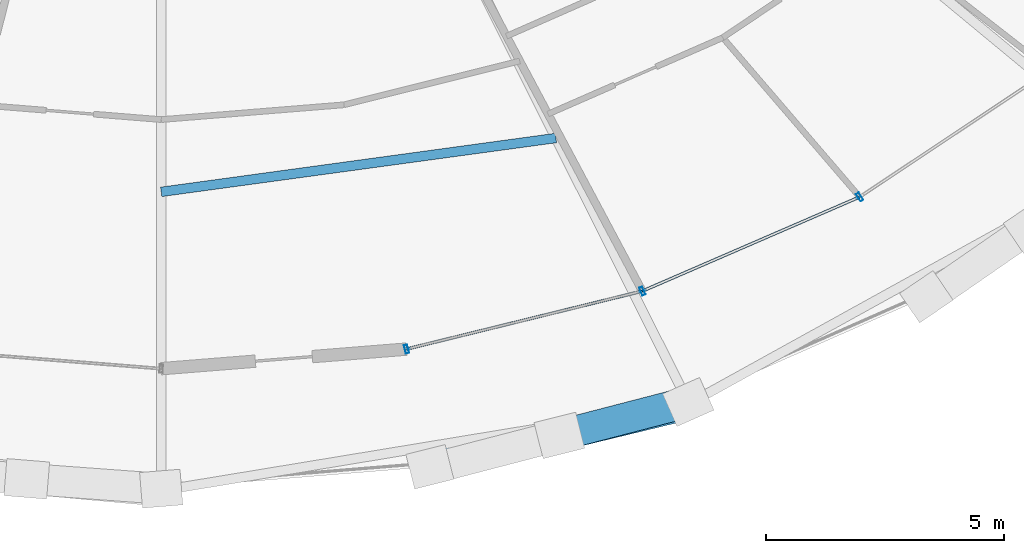
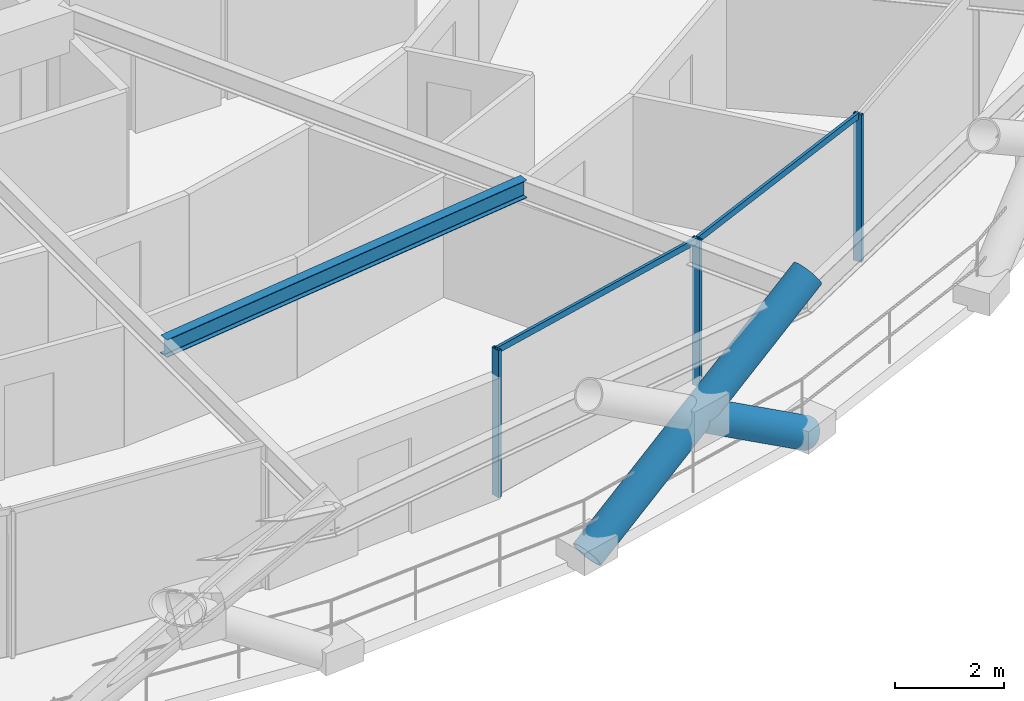
# One storey, part 6 of 19: 7 members, 1 beam, 1 element without a shape of its own.
"""IFC4 building model written with IfcOpenShell, lengths in metres."""

from ifc_helpers import new_model, si_unit, direction, frame, origin, origin_2d, place, context, subcontext, project, spatial, hollow_rectangle, hollow_circle, i_section, extrude, material, layer, layer_set, material_profile, profile_set, type_object, element, aggregate, save


model = new_model("IFC4")

# Units and contexts
model_context = context("Model", 3, precision=1e-05, world=origin(), true_north=direction((0.0, 1.0)))
body_context = subcontext(model_context, "Body", "Model", "MODEL_VIEW")
ifc_project = project(units=[si_unit("LENGTHUNIT", "METRE"), si_unit("AREAUNIT", "SQUARE_METRE"), si_unit("VOLUMEUNIT", "CUBIC_METRE"), si_unit("PLANEANGLEUNIT", "RADIAN"), si_unit("MASSUNIT", "GRAM", prefix="KILO")], contexts=[model_context])

# Site, building, storey
site_placement = place(None, origin())
site = spatial("IfcSite", under=ifc_project, at=site_placement, CompositionType="ELEMENT")
building_placement = place(site_placement, origin())
building = spatial("IfcBuilding", under=site, at=building_placement, Name="Veldorina Hangang Commons", CompositionType="ELEMENT")
storey_placement = place(building_placement, frame((0.0, 0.0, 70.0)))
storey = spatial("IfcBuildingStorey", under=building, at=storey_placement, Name="L17", CompositionType="ELEMENT", Elevation=70.0)

# Beam
ifc_material_1 = material(Name="Steel SM355-TMC", Category="steel")
ifc_material_profile_1 = material_profile(ifc_material_1, i_section(OverallWidth=0.199951171875, OverallDepth=0.39990234375, WebThickness=0.008056640625, FlangeThickness=0.012939453125, FilletRadius=0.012939453125, at=origin_2d()), Name="H-400x200x8x13")
ifc_profile_set_1 = profile_set([ifc_material_profile_1], Name="Steel SM355-TMC")
beam_type = type_object("IfcBeamType", Name="BM-JST400", PredefinedType="JOIST", material=ifc_profile_set_1)
beam_placement = place(storey_placement, frame((32.0, 6.31689453125, 3.139892578125), z_axis=(0.990825726969, 0.135145768622, 0.0), x_axis=(-0.135145768622, 0.990825726969, 0.0)))
element("IfcBeam", 1, at=beam_placement, inside=storey, type_object=beam_type, Name="L17 secondary floor joist 13", PredefinedType="JOIST", context=body_context, shape_type="SweptSolid", body=[
    extrude(i_section(OverallWidth=0.199951171875, OverallDepth=0.39990234375, WebThickness=0.008056640625, FlangeThickness=0.012939453125, FilletRadius=0.012939453125, at=origin_2d()), origin(), (0.0, 0.0, 1.0), 8.364013671875),
])

# Curtain wall, members
ifc_material_2 = material(Name="Glass Low-E Triple IGU", Category="glass")
ifc_layer = layer(ifc_material_2, 0.179931640625)
ifc_layer_set = layer_set([ifc_layer], Name="Glass Low-E Triple IGU")
curtain_wall_type = type_object("IfcCurtainWallType", Name="CW-SYS-Z1", PredefinedType="NOTDEFINED", material=ifc_layer_set)
curtain_wall_placement = place(storey_placement, origin())
curtain_wall = element("IfcCurtainWall", 2, at=curtain_wall_placement, inside=storey, type_object=curtain_wall_type, Name="L17 unitised curtain wall CW-L17-R2", PredefinedType="NOTDEFINED")
ifc_material_3 = material(Name="Aluminium Anodized AA6063-T6", Category="aluminium")
ifc_material_profile_2 = material_profile(ifc_material_3, hollow_rectangle(XDim=0.070068359375, YDim=0.179931640625, WallThickness=0.00390625, at=origin_2d()), Name="ALU-RHS-180x70x4")
ifc_profile_set_2 = profile_set([ifc_material_profile_2], Name="Aluminium Anodized AA6063-T6")
member_type_1 = type_object("IfcMemberType", Name="CW-MUL-180", PredefinedType="MULLION", material=ifc_profile_set_2)
member_1_placement = place(storey_placement, frame((37.149658203125, 3.015380859375, 0.0), z_axis=(0.0, 0.0, 1.0), x_axis=(0.971071798717, 0.238787691761, 0.0)))
member_1 = element("IfcMember", 3, at=member_1_placement, type_object=member_type_1, Name="CW-L17-R2 vertical mullion 1", PredefinedType="MULLION", context=body_context, shape_type="SweptSolid", body=[
    extrude(hollow_rectangle(XDim=0.070068359375, YDim=0.179931640625, WallThickness=0.00390625, at=origin_2d()), origin(), (0.0, 0.0, 1.0), 3.300048828125),
])
member_2_placement = place(storey_placement, frame((42.101318359375, 4.23291015625, 0.0), z_axis=(0.0, 0.0, 1.0), x_axis=(0.917588188255, 0.39753228394, 0.0)))
member_2 = element("IfcMember", 4, at=member_2_placement, type_object=member_type_1, Name="CW-L17-R2 vertical mullion 2", PredefinedType="MULLION", context=body_context, shape_type="SweptSolid", body=[
    extrude(hollow_rectangle(XDim=0.070068359375, YDim=0.179931640625, WallThickness=0.00390625, at=origin_2d()), origin(), (0.0, 0.0, 1.0), 3.300048828125),
])
member_3_placement = place(storey_placement, frame((46.664794921875, 6.2099609375, 0.0), z_axis=(0.0, 0.0, 1.0), x_axis=(0.832592704922, 0.553885717193, 0.0)))
member_3 = element("IfcMember", 5, at=member_3_placement, type_object=member_type_1, Name="CW-L17-R2 vertical mullion 3", PredefinedType="MULLION", context=body_context, shape_type="SweptSolid", body=[
    extrude(hollow_rectangle(XDim=0.070068359375, YDim=0.179931640625, WallThickness=0.00390625, at=origin_2d()), origin(), (0.0, 0.0, 1.0), 3.300048828125),
])
ifc_material_profile_3 = material_profile(ifc_material_3, hollow_rectangle(XDim=0.06005859375, YDim=0.139892578125, WallThickness=0.00341796875, at=origin_2d()), Name="ALU-RHS-140x60x3.5")
ifc_profile_set_3 = profile_set([ifc_material_profile_3], Name="Aluminium Anodized AA6063-T6")
member_type_2 = type_object("IfcMemberType", Name="CW-TRN-140", PredefinedType="USERDEFINED", material=ifc_profile_set_3)
member_4_placement = place(storey_placement, frame((37.149658203125, 3.015380859375, 3.260009765625), z_axis=(0.971075879005, 0.238771097949, 0.0), x_axis=(-0.238771097949, 0.971075879005, 0.0)))
member_4 = element("IfcMember", 6, at=member_4_placement, type_object=member_type_2, Name="CW-L17-R2 facet 1 transom 1", ObjectType="TRANSOM", PredefinedType="USERDEFINED", context=body_context, shape_type="SweptSolid", body=[
    extrude(hollow_rectangle(XDim=0.06005859375, YDim=0.139892578125, WallThickness=0.00341796875, at=origin_2d()), origin(), (0.0, 0.0, 1.0), 5.09912109375),
])
member_5_placement = place(storey_placement, frame((42.101318359375, 4.23291015625, 3.260009765625), z_axis=(0.917589052817, 0.397530288343, 0.0), x_axis=(-0.397530288343, 0.917589052817, 0.0)))
member_5 = element("IfcMember", 7, at=member_5_placement, type_object=member_type_2, Name="CW-L17-R2 facet 2 transom 1", ObjectType="TRANSOM", PredefinedType="USERDEFINED", context=body_context, shape_type="SweptSolid", body=[
    extrude(hollow_rectangle(XDim=0.06005859375, YDim=0.139892578125, WallThickness=0.00341796875, at=origin_2d()), origin(), (0.0, 0.0, 1.0), 4.973388671875),
])
aggregate(curtain_wall, [member_1, member_2, member_3, member_4, member_5])

# Members
ifc_material_4 = material(Name="Steel SM460-TMC", Category="steel")
ifc_material_profile_4 = material_profile(ifc_material_4, hollow_circle(Radius=0.324951171875, WallThickness=0.031982421875, at=origin_2d()), Name="CHS-650x32")
ifc_profile_set_4 = profile_set([ifc_material_profile_4], Name="Steel SM460-TMC")
member_type_3 = type_object("IfcMemberType", Name="DG-CHS650", PredefinedType="BRACE", material=ifc_profile_set_4)
member_6_placement = place(storey_placement, frame((37.64111328125, 0.543701171875, 0.0), z_axis=(0.817530231241, 0.19796465944, 0.540790453521), x_axis=(-0.235347952117, 0.971911179807, 0.0)))
element("IfcMember", 8, at=member_6_placement, inside=storey, type_object=member_type_3, Name="L17 continuous perimeter diagrid brace 25", PredefinedType="BRACE", context=body_context, shape_type="SweptSolid", body=[
    extrude(hollow_circle(Radius=0.324951171875, WallThickness=0.031982421875, at=origin_2d()), origin(), (0.0, 0.0, 1.0), 6.656982421875),
])
member_7_placement = place(storey_placement, frame((43.065673828125, 1.90478515625, 0.0), z_axis=(-0.813959429449, -0.211385601692, 0.541097195159), x_axis=(0.251362236231, -0.96789308614, 0.0)))
element("IfcMember", 9, at=member_7_placement, inside=storey, type_object=member_type_3, Name="L17 split perimeter diagrid lower brace 26", PredefinedType="BRACE", context=body_context, shape_type="SweptSolid", body=[
    extrude(hollow_circle(Radius=0.324951171875, WallThickness=0.031982421875, at=origin_2d()), origin(), (0.0, 0.0, 1.0), 3.323974609375),
])

save(model, "model.ifc")
